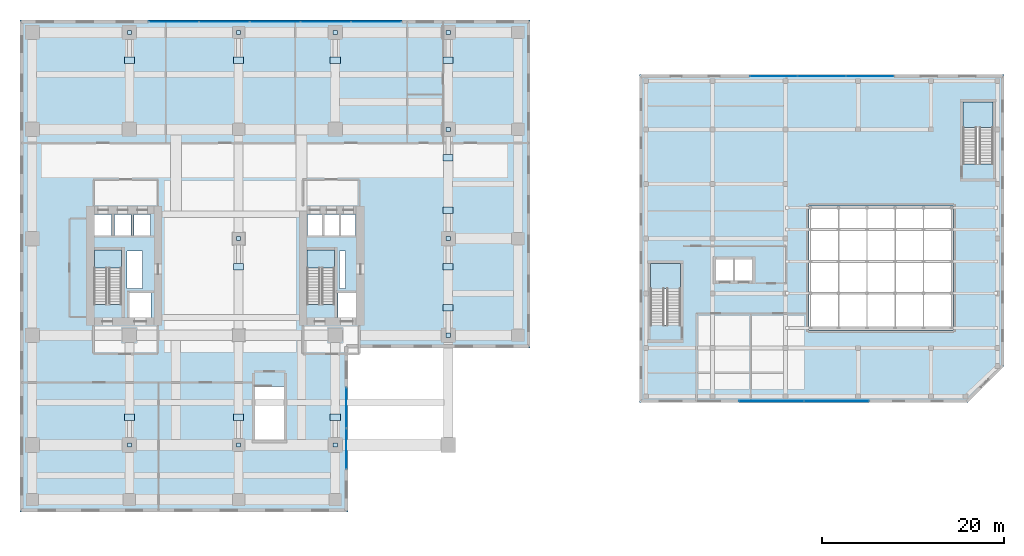
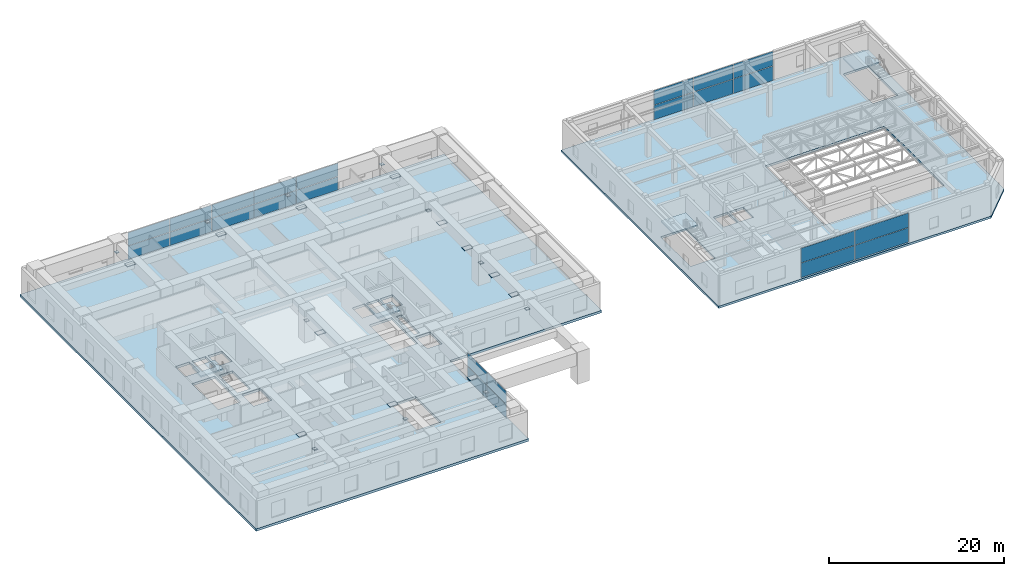
# One storey, part 22 of 33: 47 plates, 6 slabs, 8 elements without a shape of their own.
"""IFC4 building model written with IfcOpenShell, lengths in metres."""

from ifc_helpers import new_model, si_unit, direction, frame, origin, origin_2d, place, context, subcontext, project, spatial, polyline, rectangle, outline, extrude, source, transform, mapped, material, layer, layer_set, type_object, element, aggregate, save


model = new_model("IFC4")

# Units and contexts
model_context = context("Model", 3, precision=1e-05, world=origin(), true_north=direction((0.0, 1.0)))
body_context = subcontext(model_context, "Body", "Model", "MODEL_VIEW")
ifc_project = project(units=[si_unit("LENGTHUNIT", "METRE"), si_unit("AREAUNIT", "SQUARE_METRE"), si_unit("VOLUMEUNIT", "CUBIC_METRE"), si_unit("PLANEANGLEUNIT", "RADIAN"), si_unit("MASSUNIT", "GRAM", prefix="KILO")], contexts=[model_context])

# Site, building, storey
site_placement = place(None, origin())
site = spatial("IfcSite", under=ifc_project, at=site_placement, CompositionType="ELEMENT")
building_placement = place(site_placement, origin())
building = spatial("IfcBuilding", under=site, at=building_placement, Name="Khoralis Quay Care Tower", CompositionType="ELEMENT")
storey_placement = place(building_placement, frame((0.0, 0.0, 18.0)))
storey = spatial("IfcBuildingStorey", under=building, at=storey_placement, Name="L04", CompositionType="ELEMENT", Elevation=18.0)

# Stair, slab
ifc_material_1 = material(Name="Precast concrete C45/55", Category="concrete")
stair_type_1 = type_object("IfcStairType", Name="ST-TWR-DOGLEG-1400", PredefinedType="HALF_TURN_STAIR", material=ifc_material_1)
stair_1_placement = place(storey_placement, origin())
stair_1 = element("IfcStair", 1, at=stair_1_placement, inside=storey, type_object=stair_type_1, Name="L04 West Core Exit Stair ST-T1", PredefinedType="HALF_TURN_STAIR")
ifc_layer_1 = layer(ifc_material_1, 0.199951171875)
ifc_layer_set_1 = layer_set([ifc_layer_1], Name="Precast concrete C45/55")
slab_type_1 = type_object("IfcSlabType", Name="SLB-LANDING-200", PredefinedType="LANDING", material=ifc_layer_set_1)
slab_1_placement = place(storey_placement, frame((0.0, 0.0, 2.050048828125)))
slab_1 = element("IfcSlab", 2, at=slab_1_placement, type_object=slab_type_1, Name="ST-T1 landing 1", PredefinedType="LANDING", context=body_context, shape_type="SweptSolid", body=[
    extrude(outline(polyline([(11.14990234375, 20.77001953125), (11.14990234375, 22.75), (8.14990234375, 22.75), (8.14990234375, 20.77001953125), (11.14990234375, 20.77001953125)])), origin(), (0.0, 0.0, 1.0), 0.199951171875),
])
aggregate(stair_1, [slab_1])

stair_2_placement = place(storey_placement, origin())
stair_2 = element("IfcStair", 3, at=stair_2_placement, inside=storey, type_object=stair_type_1, Name="L04 East Core Exit Stair ST-T2", PredefinedType="HALF_TURN_STAIR")
slab_2_placement = place(storey_placement, frame((0.0, 0.0, 2.050048828125)))
slab_2 = element("IfcSlab", 4, at=slab_2_placement, type_object=slab_type_1, Name="ST-T2 landing 1", PredefinedType="LANDING", context=body_context, shape_type="SweptSolid", body=[
    extrude(outline(polyline([(34.52001953125, 20.77001953125), (34.52001953125, 22.75), (31.52001953125, 22.75), (31.52001953125, 20.77001953125), (34.52001953125, 20.77001953125)])), origin(), (0.0, 0.0, 1.0), 0.199951171875),
])
aggregate(stair_2, [slab_2])

stair_type_2 = type_object("IfcStairType", Name="ST-SCH-DOGLEG-1550", PredefinedType="HALF_TURN_STAIR", material=ifc_material_1)
stair_3_placement = place(storey_placement, origin())
stair_3 = element("IfcStair", 5, at=stair_3_placement, inside=storey, type_object=stair_type_2, Name="L04 Companion School West Exit Stair ST-S1", PredefinedType="HALF_TURN_STAIR")
slab_3_placement = place(storey_placement, frame((0.0, 0.0, 2.050048828125)))
slab_3 = element("IfcSlab", 6, at=slab_3_placement, type_object=slab_type_1, Name="ST-S1 landing 1", PredefinedType="LANDING", context=body_context, shape_type="SweptSolid", body=[
    extrude(outline(polyline([(72.5, 18.47998046875), (72.5, 21.300048828125), (69.199951171875, 21.300048828125), (69.199951171875, 18.47998046875), (72.5, 18.47998046875)])), origin(), (0.0, 0.0, 1.0), 0.199951171875),
])
aggregate(stair_3, [slab_3])

stair_4_placement = place(storey_placement, origin())
stair_4 = element("IfcStair", 7, at=stair_4_placement, inside=storey, type_object=stair_type_2, Name="L04 Companion School East Exit Stair ST-S2", PredefinedType="HALF_TURN_STAIR")
slab_4_placement = place(storey_placement, frame((0.0, 0.0, 2.050048828125)))
slab_4 = element("IfcSlab", 8, at=slab_4_placement, type_object=slab_type_1, Name="ST-S2 landing 1", PredefinedType="LANDING", context=body_context, shape_type="SweptSolid", body=[
    extrude(outline(polyline([(106.800048828125, 36.179931640625), (106.800048828125, 39.0), (103.5, 39.0), (103.5, 36.179931640625), (106.800048828125, 36.179931640625)])), origin(), (0.0, 0.0, 1.0), 0.199951171875),
])
aggregate(stair_4, [slab_4])

# Slabs
ifc_material_2 = material(Name="Concrete C40/50", Category="concrete")
ifc_layer_2 = layer(ifc_material_2, 0.340087890625)
ifc_layer_set_2 = layer_set([ifc_layer_2], Name="Concrete C40/50")
slab_type_2 = type_object("IfcSlabType", Name="SLB-POD-340", PredefinedType="FLOOR", material=ifc_layer_set_2)
slab_5_placement = place(storey_placement, frame((0.0, 0.0, -0.340087890625)))
element("IfcSlab", 9, at=slab_5_placement, inside=storey, type_object=slab_type_2, Name="Tower Floor Slab L04", PredefinedType="FLOOR", context=body_context, shape_type="SweptSolid", body=[
    extrude(outline(polyline([(0.0, -6.0), (36.0, -6.0), (36.0, 12.0), (56.0, 12.0), (56.0, 48.0), (0.0, 48.0), (0.0, -6.0)]), holes=[polyline([(11.14990234375, 16.800048828125), (11.14990234375, 22.75), (8.14990234375, 22.75), (8.14990234375, 16.800048828125), (11.14990234375, 16.800048828125)]), polyline([(34.52001953125, 16.800048828125), (34.52001953125, 22.75), (31.52001953125, 22.75), (31.52001953125, 16.800048828125), (34.52001953125, 16.800048828125)]), polyline([(25.800048828125, 7.77001953125), (25.800048828125, 1.89990234375), (29.0, 1.89990234375), (29.0, 7.77001953125), (25.800048828125, 7.77001953125)]), polyline([(12.0, 15.35009765625), (14.39990234375, 15.35009765625), (14.39990234375, 18.050048828125), (12.0, 18.050048828125), (12.0, 15.35009765625)]), polyline([(34.919921875, 15.35009765625), (36.8798828125, 15.35009765625), (36.8798828125, 18.050048828125), (34.919921875, 18.050048828125), (34.919921875, 15.35009765625)]), polyline([(8.199951171875, 24.35009765625), (10.050048828125, 24.35009765625), (10.050048828125, 26.64990234375), (8.199951171875, 26.64990234375), (8.199951171875, 24.35009765625)]), polyline([(31.550048828125, 24.35009765625), (33.199951171875, 24.35009765625), (33.199951171875, 26.64990234375), (31.550048828125, 26.64990234375), (31.550048828125, 24.35009765625)]), polyline([(10.35009765625, 24.35009765625), (12.199951171875, 24.35009765625), (12.199951171875, 26.64990234375), (10.35009765625, 26.64990234375), (10.35009765625, 24.35009765625)]), polyline([(33.3798828125, 24.35009765625), (35.030029296875, 24.35009765625), (35.030029296875, 26.64990234375), (33.3798828125, 26.64990234375), (33.3798828125, 24.35009765625)]), polyline([(12.5, 24.35009765625), (14.35009765625, 24.35009765625), (14.35009765625, 26.64990234375), (12.5, 26.64990234375), (12.5, 24.35009765625)]), polyline([(35.199951171875, 24.35009765625), (36.85009765625, 24.35009765625), (36.85009765625, 26.64990234375), (35.199951171875, 26.64990234375), (35.199951171875, 24.35009765625)]), polyline([(11.719970703125, 18.550048828125), (13.449951171875, 18.550048828125), (13.449951171875, 22.64990234375), (11.719970703125, 22.64990234375), (11.719970703125, 18.550048828125)]), polyline([(35.050048828125, 18.550048828125), (35.75, 18.550048828125), (35.75, 22.64990234375), (35.050048828125, 22.64990234375), (35.050048828125, 18.550048828125)])]), origin(), (0.0, 0.0, 1.0), 0.340087890625),
])
ifc_layer_3 = layer(ifc_material_2, 0.300048828125)
ifc_layer_set_3 = layer_set([ifc_layer_3], Name="Concrete C40/50")
slab_type_3 = type_object("IfcSlabType", Name="SLB-SCH-300", PredefinedType="FLOOR", material=ifc_layer_set_3)
slab_6_placement = place(storey_placement, frame((0.0, 0.0, -0.300048828125)))
element("IfcSlab", 10, at=slab_6_placement, inside=storey, type_object=slab_type_3, Name="Companion School Floor Slab L04", PredefinedType="FLOOR", context=body_context, shape_type="SweptSolid", body=[
    extrude(outline(polyline([(68.0, 6.0), (104.0, 6.0), (108.0, 10.0), (108.0, 42.0), (68.0, 42.0), (68.0, 6.0)]), holes=[polyline([(72.5, 14.510009765625), (72.5, 21.300048828125), (69.199951171875, 21.300048828125), (69.199951171875, 14.510009765625), (72.5, 14.510009765625)]), polyline([(106.800048828125, 32.2099609375), (106.800048828125, 39.0), (103.5, 39.0), (103.5, 32.2099609375), (106.800048828125, 32.2099609375)]), polyline([(76.39990234375, 19.39990234375), (78.25, 19.39990234375), (78.25, 21.699951171875), (76.39990234375, 21.699951171875), (76.39990234375, 19.39990234375)]), polyline([(78.5, 19.39990234375), (80.35009765625, 19.39990234375), (80.35009765625, 21.699951171875), (78.5, 21.699951171875), (78.5, 19.39990234375)]), polyline([(86.60009765625, 14.0), (102.39990234375, 14.0), (102.39990234375, 27.60009765625), (86.60009765625, 27.60009765625), (86.60009765625, 14.0)])]), origin(), (0.0, 0.0, 1.0), 0.300048828125),
])

# Plates
ifc_material_3 = material(Name="Steel S355", Category="steel")
ifc_layer_4 = layer(ifc_material_3, 0.02490234375)
ifc_layer_set_4 = layer_set([ifc_layer_4], Name="Steel S355")
plate_type_1 = type_object("IfcPlateType", Name="PLT-CAP-450", PredefinedType="USERDEFINED", material=ifc_layer_set_4)
shared_shape_1 = source(origin(), body_context, "Body", "SweptSolid", [
    extrude(rectangle(XDim=0.449951171875, YDim=0.449951171875, at=origin_2d()), origin(), (0.0, 0.0, 1.0), 0.02490234375),
])
for number, where, z_axis, x_axis, name in (
    (11, (12.0, 1.35009765625, 2.53759765625), (0.0, 0.0, 1.0), (1.0, 0.0, 0.0), "PLT-L04-CP-01A"),
    (12, (24.0, 1.35009765625, 2.53759765625), (0.0, 0.0, 1.0), (1.0, 0.0, 0.0), "PLT-L04-CP-02A"),
    (13, (34.60009765625, 1.35009765625, 2.53759765625), (0.0, 0.0, 1.0), (1.0, 0.0, 0.0), "PLT-L04-CP-03A"),
    (14, (12.0, 46.64990234375, 2.53759765625), (0.0, 0.0, 1.0), (1.0, 0.0, 0.0), "PLT-L04-CP-04A"),
    (15, (24.0, 46.64990234375, 2.53759765625), (0.0, 0.0, 1.0), (1.0, 0.0, 0.0), "PLT-L04-CP-05A"),
    (16, (34.60009765625, 46.64990234375, 2.53759765625), (0.0, 0.0, 1.0), (1.0, 0.0, 0.0), "PLT-L04-CP-06A"),
    (17, (47.0, 46.64990234375, 2.53759765625), (0.0, 0.0, 1.0), (1.0, 0.0, 0.0), "PLT-L04-CP-07A"),
    (18, (47.0, 13.39990234375, 2.53759765625), (0.0, 0.0, 1.0), (1.0, 0.0, 0.0), "PLT-L04-CP-08A"),
    (19, (47.0, 24.0, 2.53759765625), (0.0, 0.0, 1.0), (1.0, 0.0, 0.0), "PLT-L04-CP-09A"),
    (20, (47.0, 36.0, 2.53759765625), (0.0, 0.0, 1.0), (1.0, 0.0, 0.0), "PLT-L04-CP-11A"),
    (21, (24.0, 24.0, 2.53759765625), (0.0, 0.0, 1.0), (1.0, 0.0, 0.0), "PLT-L04-CP-12A"),
):
    element("IfcPlate", number, at=place(storey_placement, frame(where, z_axis=z_axis, x_axis=x_axis)), inside=storey, type_object=plate_type_1, Name=name, ObjectType="BASE_PLATE", PredefinedType="USERDEFINED", context=body_context, shape_type="MappedRepresentation", body=[
        mapped(shared_shape_1, transform((0.0, 0.0, 0.0), scale=1.0)),
    ])
ifc_material_4 = material(Name="Steel S460", Category="steel")
ifc_layer_5 = layer(ifc_material_4, 0.034912109375)
ifc_layer_set_5 = layer_set([ifc_layer_5], Name="Steel S460")
plate_type_2 = type_object("IfcPlateType", Name="PLT-NODE-ON1", PredefinedType="USERDEFINED", material=ifc_layer_set_5)
shared_shape_2 = source(origin(), body_context, "Body", "SweptSolid", [
    extrude(rectangle(XDim=1.10009765625, YDim=0.699951171875, at=origin_2d()), origin(), (0.0, 0.0, 1.0), 0.034912109375),
])
for number, where, z_axis, x_axis, name in (
    (22, (12.0, 4.39990234375, 2.70263671875), (0.0, 0.0, 1.0), (1.0, 0.0, 0.0), "PLT-L04-ON-01B"),
    (23, (24.0, 4.39990234375, 2.70263671875), (0.0, 0.0, 1.0), (1.0, 0.0, 0.0), "PLT-L04-ON-02B"),
    (24, (34.60009765625, 4.39990234375, 2.70263671875), (0.0, 0.0, 1.0), (1.0, 0.0, 0.0), "PLT-L04-ON-03B"),
    (25, (12.0, 43.60009765625, 2.70263671875), (0.0, 0.0, 1.0), (1.0, 0.0, 0.0), "PLT-L04-ON-04B"),
    (26, (24.0, 43.60009765625, 2.70263671875), (0.0, 0.0, 1.0), (1.0, 0.0, 0.0), "PLT-L04-ON-05B"),
    (27, (34.60009765625, 43.60009765625, 2.70263671875), (0.0, 0.0, 1.0), (1.0, 0.0, 0.0), "PLT-L04-ON-06B"),
    (28, (47.0, 43.60009765625, 2.70263671875), (0.0, 0.0, 1.0), (1.0, 0.0, 0.0), "PLT-L04-ON-07B"),
    (29, (47.0, 16.39990234375, 2.70263671875), (0.0, 0.0, 1.0), (1.0, 0.0, 0.0), "PLT-L04-ON-08B"),
    (30, (47.0, 20.89990234375, 2.70263671875), (0.0, 0.0, 1.0), (1.0, 0.0, 0.0), "PLT-L04-ON-09B"),
    (31, (47.0, 27.10009765625, 2.70263671875), (0.0, 0.0, 1.0), (1.0, 0.0, 0.0), "PLT-L04-ON-10B"),
    (32, (47.0, 32.89990234375, 2.70263671875), (0.0, 0.0, 1.0), (1.0, 0.0, 0.0), "PLT-L04-ON-11B"),
    (33, (24.0, 20.89990234375, 2.70263671875), (0.0, 0.0, 1.0), (1.0, 0.0, 0.0), "PLT-L04-ON-12B"),
):
    element("IfcPlate", number, at=place(storey_placement, frame(where, z_axis=z_axis, x_axis=x_axis)), inside=storey, type_object=plate_type_2, Name=name, ObjectType="GUSSET_PLATE", PredefinedType="USERDEFINED", context=body_context, shape_type="MappedRepresentation", body=[
        mapped(shared_shape_2, transform((0.0, 0.0, 0.0), scale=1.0)),
    ])

# Curtain wall, plates
ifc_material_5 = material(Name="Pale anodised aluminium", Category="aluminium")
ifc_layer_6 = layer(ifc_material_5, 0.179931640625)
ifc_layer_set_6 = layer_set([ifc_layer_6], Name="Pale anodised aluminium")
curtain_wall_type_1 = type_object("IfcCurtainWallType", Name="CW-SYS-Z1", PredefinedType="NOTDEFINED", material=ifc_layer_set_6)
curtain_wall_1_placement = place(storey_placement, origin())
curtain_wall_1 = element("IfcCurtainWall", 34, at=curtain_wall_1_placement, inside=storey, type_object=curtain_wall_type_1, Name="L04 Unitised Curtain Wall CW-POD-L04-E1", PredefinedType="NOTDEFINED")
ifc_material_6 = material(Name="Low-E solar-control double glazing", Category="glass")
ifc_layer_7 = layer(ifc_material_6, 0.031982421875)
ifc_layer_set_7 = layer_set([ifc_layer_7], Name="Low-E solar-control double glazing")
plate_type_3 = type_object("IfcPlateType", Name="PNL-VIS-32", PredefinedType="CURTAIN_PANEL", material=ifc_layer_set_7)
shared_shape_3 = source(origin(), body_context, "Body", "SweptSolid", [
    extrude(rectangle(XDim=4.409912109375, YDim=0.028076171875, at=origin_2d()), origin(), (0.0, 0.0, 1.0), 1.8349609375),
])
plate_1_placement = place(storey_placement, frame((35.81005859375, 0.955078125, 0.06005859375), z_axis=(0.0, 0.0, 1.0), x_axis=(0.0, 1.0, 0.0)))
plate_1 = element("IfcPlate", 35, at=plate_1_placement, type_object=plate_type_3, Name="CW1 panel 1.1", PredefinedType="CURTAIN_PANEL", context=body_context, shape_type="MappedRepresentation", body=[
    mapped(shared_shape_3, transform((0.0, 0.0, 0.0), scale=1.0)),
])
plate_2_placement = place(storey_placement, frame((35.81005859375, 0.955078125, 1.955078125), z_axis=(0.0, 0.0, 1.0), x_axis=(0.0, 1.0, 0.0)))
plate_2 = element("IfcPlate", 36, at=plate_2_placement, type_object=plate_type_3, Name="CW1 panel 1.2", PredefinedType="CURTAIN_PANEL", context=body_context, shape_type="MappedRepresentation", body=[
    mapped(shared_shape_3, transform((0.0, 0.0, 0.0), scale=1.0)),
])
plate_3_placement = place(storey_placement, frame((35.81005859375, 5.425048828125, 0.06005859375), z_axis=(0.0, 0.0, 1.0), x_axis=(0.0, 1.0, 0.0)))
plate_3 = element("IfcPlate", 37, at=plate_3_placement, type_object=plate_type_3, Name="CW1 panel 2.1", PredefinedType="CURTAIN_PANEL", context=body_context, shape_type="MappedRepresentation", body=[
    mapped(shared_shape_3, transform((0.0, 0.0, 0.0), scale=1.0)),
])
plate_4_placement = place(storey_placement, frame((35.81005859375, 5.425048828125, 1.955078125), z_axis=(0.0, 0.0, 1.0), x_axis=(0.0, 1.0, 0.0)))
plate_4 = element("IfcPlate", 38, at=plate_4_placement, type_object=plate_type_3, Name="CW1 panel 2.2", PredefinedType="CURTAIN_PANEL", context=body_context, shape_type="MappedRepresentation", body=[
    mapped(shared_shape_3, transform((0.0, 0.0, 0.0), scale=1.0)),
])
aggregate(curtain_wall_1, [plate_1, plate_2, plate_3, plate_4])

curtain_wall_2_placement = place(storey_placement, origin())
curtain_wall_2 = element("IfcCurtainWall", 39, at=curtain_wall_2_placement, inside=storey, type_object=curtain_wall_type_1, Name="L04 Unitised Curtain Wall CW-POD-L04-E4", PredefinedType="NOTDEFINED")
shared_shape_4 = source(origin(), body_context, "Body", "SweptSolid", [
    extrude(rectangle(XDim=5.471923828125, YDim=0.028076171875, at=origin_2d()), origin(), (0.0, 0.0, 1.0), 1.8349609375),
])
plate_5_placement = place(storey_placement, frame((39.10888671875, 47.81005859375, 0.06005859375), z_axis=(0.0, 0.0, 1.0), x_axis=(-1.0, 0.0, 0.0)))
plate_5 = element("IfcPlate", 40, at=plate_5_placement, type_object=plate_type_3, Name="CW1 panel 1.1", PredefinedType="CURTAIN_PANEL", context=body_context, shape_type="MappedRepresentation", body=[
    mapped(shared_shape_4, transform((0.0, 0.0, 0.0), scale=1.0)),
])
plate_6_placement = place(storey_placement, frame((39.10888671875, 47.81005859375, 1.955078125), z_axis=(0.0, 0.0, 1.0), x_axis=(-1.0, 0.0, 0.0)))
plate_6 = element("IfcPlate", 41, at=plate_6_placement, type_object=plate_type_3, Name="CW1 panel 1.2", PredefinedType="CURTAIN_PANEL", context=body_context, shape_type="MappedRepresentation", body=[
    mapped(shared_shape_4, transform((0.0, 0.0, 0.0), scale=1.0)),
])
plate_7_placement = place(storey_placement, frame((16.89111328125, 47.81005859375, 0.06005859375), z_axis=(0.0, 0.0, 1.0), x_axis=(-1.0, 0.0, 0.0)))
plate_7 = element("IfcPlate", 42, at=plate_7_placement, type_object=plate_type_3, Name="CW1 panel 5.1", PredefinedType="CURTAIN_PANEL", context=body_context, shape_type="MappedRepresentation", body=[
    mapped(shared_shape_4, transform((0.0, 0.0, 0.0), scale=1.0)),
])
plate_8_placement = place(storey_placement, frame((16.89111328125, 47.81005859375, 1.955078125), z_axis=(0.0, 0.0, 1.0), x_axis=(-1.0, 0.0, 0.0)))
plate_8 = element("IfcPlate", 43, at=plate_8_placement, type_object=plate_type_3, Name="CW1 panel 5.2", PredefinedType="CURTAIN_PANEL", context=body_context, shape_type="MappedRepresentation", body=[
    mapped(shared_shape_4, transform((0.0, 0.0, 0.0), scale=1.0)),
])
shared_shape_5 = source(origin(), body_context, "Body", "SweptSolid", [
    extrude(rectangle(XDim=5.501953125, YDim=0.028076171875, at=origin_2d()), origin(), (0.0, 0.0, 1.0), 1.8349609375),
])
plate_9_placement = place(storey_placement, frame((33.56201171875, 47.81005859375, 0.06005859375), z_axis=(0.0, 0.0, 1.0), x_axis=(-1.0, 0.0, 0.0)))
plate_9 = element("IfcPlate", 44, at=plate_9_placement, type_object=plate_type_3, Name="CW1 panel 2.1", PredefinedType="CURTAIN_PANEL", context=body_context, shape_type="MappedRepresentation", body=[
    mapped(shared_shape_5, transform((0.0, 0.0, 0.0), scale=1.0)),
])
plate_10_placement = place(storey_placement, frame((33.56201171875, 47.81005859375, 1.955078125), z_axis=(0.0, 0.0, 1.0), x_axis=(-1.0, 0.0, 0.0)))
plate_10 = element("IfcPlate", 45, at=plate_10_placement, type_object=plate_type_3, Name="CW1 panel 2.2", PredefinedType="CURTAIN_PANEL", context=body_context, shape_type="MappedRepresentation", body=[
    mapped(shared_shape_5, transform((0.0, 0.0, 0.0), scale=1.0)),
])
plate_11_placement = place(storey_placement, frame((28.0, 47.81005859375, 0.06005859375), z_axis=(0.0, 0.0, 1.0), x_axis=(-1.0, 0.0, 0.0)))
plate_11 = element("IfcPlate", 46, at=plate_11_placement, type_object=plate_type_3, Name="CW1 panel 3.1", PredefinedType="CURTAIN_PANEL", context=body_context, shape_type="MappedRepresentation", body=[
    mapped(shared_shape_5, transform((0.0, 0.0, 0.0), scale=1.0)),
])
plate_12_placement = place(storey_placement, frame((28.0, 47.81005859375, 1.955078125), z_axis=(0.0, 0.0, 1.0), x_axis=(-1.0, 0.0, 0.0)))
plate_12 = element("IfcPlate", 47, at=plate_12_placement, type_object=plate_type_3, Name="CW1 panel 3.2", PredefinedType="CURTAIN_PANEL", context=body_context, shape_type="MappedRepresentation", body=[
    mapped(shared_shape_5, transform((0.0, 0.0, 0.0), scale=1.0)),
])
plate_13_placement = place(storey_placement, frame((22.43798828125, 47.81005859375, 0.06005859375), z_axis=(0.0, 0.0, 1.0), x_axis=(-1.0, 0.0, 0.0)))
plate_13 = element("IfcPlate", 48, at=plate_13_placement, type_object=plate_type_3, Name="CW1 panel 4.1", PredefinedType="CURTAIN_PANEL", context=body_context, shape_type="MappedRepresentation", body=[
    mapped(shared_shape_5, transform((0.0, 0.0, 0.0), scale=1.0)),
])
plate_14_placement = place(storey_placement, frame((22.43798828125, 47.81005859375, 1.955078125), z_axis=(0.0, 0.0, 1.0), x_axis=(-1.0, 0.0, 0.0)))
plate_14 = element("IfcPlate", 49, at=plate_14_placement, type_object=plate_type_3, Name="CW1 panel 4.2", PredefinedType="CURTAIN_PANEL", context=body_context, shape_type="MappedRepresentation", body=[
    mapped(shared_shape_5, transform((0.0, 0.0, 0.0), scale=1.0)),
])
aggregate(curtain_wall_2, [plate_5, plate_6, plate_9, plate_10, plate_11, plate_12, plate_13, plate_14, plate_7, plate_8])

ifc_layer_8 = layer(ifc_material_5, 0.14990234375)
ifc_layer_set_8 = layer_set([ifc_layer_8], Name="Pale anodised aluminium")
curtain_wall_type_2 = type_object("IfcCurtainWallType", Name="CW-SYS-SCHOOL", PredefinedType="NOTDEFINED", material=ifc_layer_set_8)
curtain_wall_3_placement = place(storey_placement, origin())
curtain_wall_3 = element("IfcCurtainWall", 50, at=curtain_wall_3_placement, inside=storey, type_object=curtain_wall_type_2, Name="L04 Unitised Curtain Wall CW-SCH-L04-E0", PredefinedType="NOTDEFINED")
shared_shape_6 = source(origin(), body_context, "Body", "SweptSolid", [
    extrude(rectangle(XDim=7.06201171875, YDim=0.028076171875, at=origin_2d()), origin(), (0.0, 0.0, 1.0), 2.010009765625),
])
plate_15_placement = place(storey_placement, frame((82.489013671875, 6.169921875, 0.06005859375), z_axis=(0.0, 0.0, 1.0), x_axis=(1.0, 0.0, 0.0)))
plate_15 = element("IfcPlate", 51, at=plate_15_placement, type_object=plate_type_3, Name="CW6 panel 1.1", PredefinedType="CURTAIN_PANEL", context=body_context, shape_type="MappedRepresentation", body=[
    mapped(shared_shape_6, transform((0.0, 0.0, 0.0), scale=1.0)),
])
plate_16_placement = place(storey_placement, frame((82.489013671875, 6.169921875, 2.1298828125), z_axis=(0.0, 0.0, 1.0), x_axis=(1.0, 0.0, 0.0)))
plate_16 = element("IfcPlate", 52, at=plate_16_placement, type_object=plate_type_3, Name="CW6 panel 1.2", PredefinedType="CURTAIN_PANEL", context=body_context, shape_type="MappedRepresentation", body=[
    mapped(shared_shape_6, transform((0.0, 0.0, 0.0), scale=1.0)),
])
plate_17_placement = place(storey_placement, frame((89.611083984375, 6.169921875, 0.06005859375), z_axis=(0.0, 0.0, 1.0), x_axis=(1.0, 0.0, 0.0)))
plate_17 = element("IfcPlate", 53, at=plate_17_placement, type_object=plate_type_3, Name="CW6 panel 2.1", PredefinedType="CURTAIN_PANEL", context=body_context, shape_type="MappedRepresentation", body=[
    mapped(shared_shape_6, transform((0.0, 0.0, 0.0), scale=1.0)),
])
plate_18_placement = place(storey_placement, frame((89.611083984375, 6.169921875, 2.1298828125), z_axis=(0.0, 0.0, 1.0), x_axis=(1.0, 0.0, 0.0)))
plate_18 = element("IfcPlate", 54, at=plate_18_placement, type_object=plate_type_3, Name="CW6 panel 2.2", PredefinedType="CURTAIN_PANEL", context=body_context, shape_type="MappedRepresentation", body=[
    mapped(shared_shape_6, transform((0.0, 0.0, 0.0), scale=1.0)),
])
aggregate(curtain_wall_3, [plate_15, plate_16, plate_17, plate_18])

curtain_wall_4_placement = place(storey_placement, origin())
curtain_wall_4 = element("IfcCurtainWall", 55, at=curtain_wall_4_placement, inside=storey, type_object=curtain_wall_type_2, Name="L04 Unitised Curtain Wall CW-SCH-L04-E3", PredefinedType="NOTDEFINED")
shared_shape_7 = source(origin(), body_context, "Body", "SweptSolid", [
    extrude(rectangle(XDim=5.197998046875, YDim=0.028076171875, at=origin_2d()), origin(), (0.0, 0.0, 1.0), 2.010009765625),
])
plate_19_placement = place(storey_placement, frame((93.27294921875, 41.830078125, 0.06005859375), z_axis=(0.0, 0.0, 1.0), x_axis=(-1.0, 0.0, 0.0)))
plate_19 = element("IfcPlate", 56, at=plate_19_placement, type_object=plate_type_3, Name="CW6 panel 1.1", PredefinedType="CURTAIN_PANEL", context=body_context, shape_type="MappedRepresentation", body=[
    mapped(shared_shape_7, transform((0.0, 0.0, 0.0), scale=1.0)),
])
plate_20_placement = place(storey_placement, frame((93.27294921875, 41.830078125, 2.1298828125), z_axis=(0.0, 0.0, 1.0), x_axis=(-1.0, 0.0, 0.0)))
plate_20 = element("IfcPlate", 57, at=plate_20_placement, type_object=plate_type_3, Name="CW6 panel 1.2", PredefinedType="CURTAIN_PANEL", context=body_context, shape_type="MappedRepresentation", body=[
    mapped(shared_shape_7, transform((0.0, 0.0, 0.0), scale=1.0)),
])
plate_21_placement = place(storey_placement, frame((82.72705078125, 41.830078125, 0.06005859375), z_axis=(0.0, 0.0, 1.0), x_axis=(-1.0, 0.0, 0.0)))
plate_21 = element("IfcPlate", 58, at=plate_21_placement, type_object=plate_type_3, Name="CW6 panel 3.1", PredefinedType="CURTAIN_PANEL", context=body_context, shape_type="MappedRepresentation", body=[
    mapped(shared_shape_7, transform((0.0, 0.0, 0.0), scale=1.0)),
])
plate_22_placement = place(storey_placement, frame((82.72705078125, 41.830078125, 2.1298828125), z_axis=(0.0, 0.0, 1.0), x_axis=(-1.0, 0.0, 0.0)))
plate_22 = element("IfcPlate", 59, at=plate_22_placement, type_object=plate_type_3, Name="CW6 panel 3.2", PredefinedType="CURTAIN_PANEL", context=body_context, shape_type="MappedRepresentation", body=[
    mapped(shared_shape_7, transform((0.0, 0.0, 0.0), scale=1.0)),
])
shared_shape_8 = source(origin(), body_context, "Body", "SweptSolid", [
    extrude(rectangle(XDim=5.22802734375, YDim=0.028076171875, at=origin_2d()), origin(), (0.0, 0.0, 1.0), 2.010009765625),
])
plate_23_placement = place(storey_placement, frame((88.0, 41.830078125, 0.06005859375), z_axis=(0.0, 0.0, 1.0), x_axis=(-1.0, 0.0, 0.0)))
plate_23 = element("IfcPlate", 60, at=plate_23_placement, type_object=plate_type_3, Name="CW6 panel 2.1", PredefinedType="CURTAIN_PANEL", context=body_context, shape_type="MappedRepresentation", body=[
    mapped(shared_shape_8, transform((0.0, 0.0, 0.0), scale=1.0)),
])
plate_24_placement = place(storey_placement, frame((88.0, 41.830078125, 2.1298828125), z_axis=(0.0, 0.0, 1.0), x_axis=(-1.0, 0.0, 0.0)))
plate_24 = element("IfcPlate", 61, at=plate_24_placement, type_object=plate_type_3, Name="CW6 panel 2.2", PredefinedType="CURTAIN_PANEL", context=body_context, shape_type="MappedRepresentation", body=[
    mapped(shared_shape_8, transform((0.0, 0.0, 0.0), scale=1.0)),
])
aggregate(curtain_wall_4, [plate_19, plate_20, plate_23, plate_24, plate_21, plate_22])

save(model, "model.ifc")
